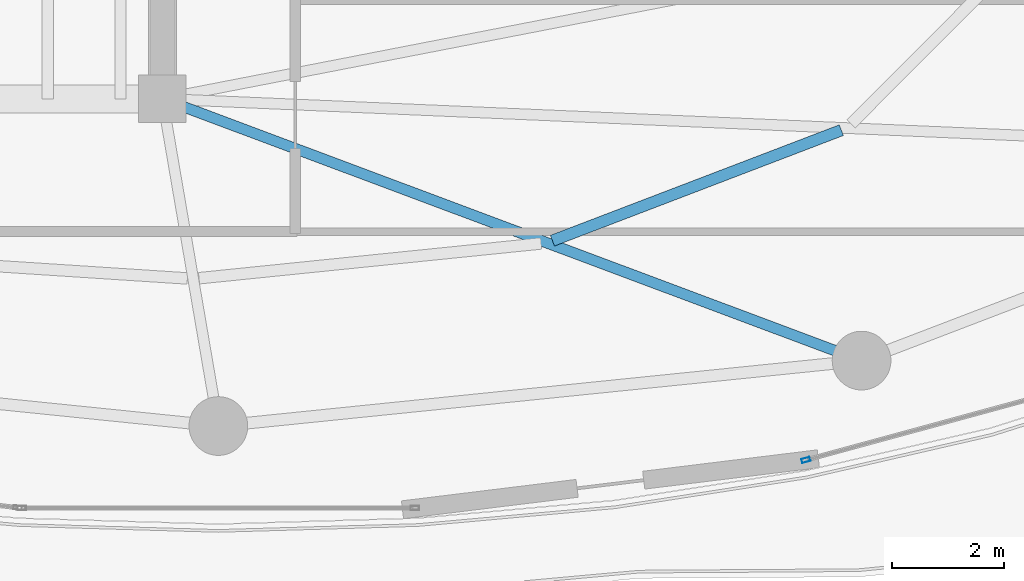
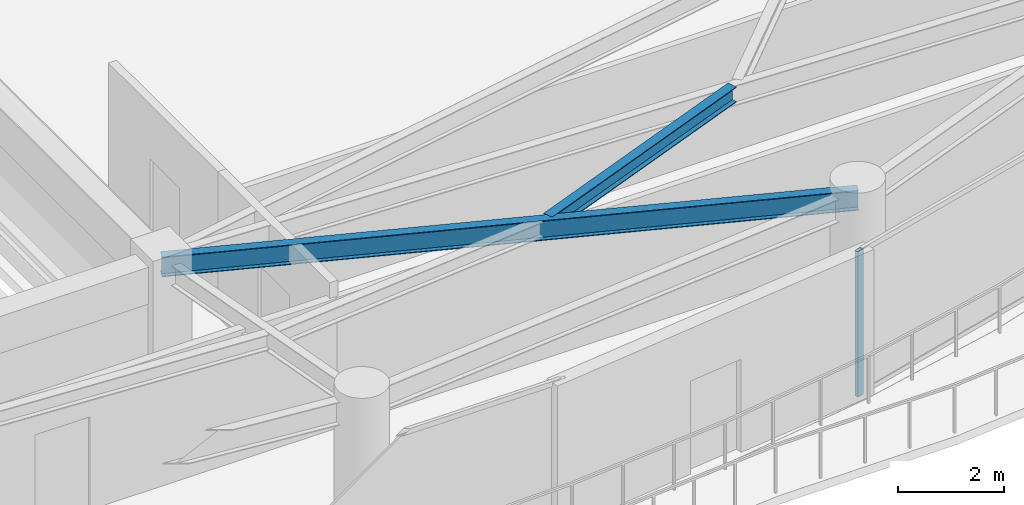
# One storey, part 10 of 28: 2 beams, 1 member, 1 element without a shape of its own.
"""IFC4 building model written with IfcOpenShell, lengths in metres."""

import ifcopenshell
import ifcopenshell.guid

model = None  # the IFC model being written
_history = None  # IfcOwnerHistory: only IFC2X3 demands one
_inside = {}  # id of a spatial element -> (the spatial element, [elements in it])
_under = {}  # id of a project, library or spatial element -> (it, [spatial elements below it])
_declared = {}  # id of a project -> (the project, [libraries it declares])
_typed = {}  # id of a type object -> (the type object, [elements of that type])
_made_of = {}  # id of a material, layer set ... -> (it, [elements and type objects made of it])


def new_model(schema):
    """Start an empty IFC model of exactly this schema.

    Asked for "IFC4X3", IfcOpenShell would pick the latest addendum, in which some entities
    have other attributes; the version numbers below select the first issue.
    IFC2X3 requires an IfcOwnerHistory on every rooted entity: one is made here for all.
    """
    global model, _history
    if schema == "IFC4X3":
        model = ifcopenshell.file(schema_version=(4, 3, 0, 0))
    else:
        model = ifcopenshell.file(schema=schema)
    _inside.clear()
    _under.clear()
    _declared.clear()
    _typed.clear()
    _made_of.clear()
    _history = None
    if model.schema == "IFC2X3":
        org = make("IfcOrganization", Name="unknown")
        user = make(
            "IfcPersonAndOrganization",
            ThePerson=make("IfcPerson", FamilyName="unknown"),
            TheOrganization=org,
        )
        app = make(
            "IfcApplication",
            ApplicationDeveloper=org,
            Version="unknown",
            ApplicationFullName="unknown",
            ApplicationIdentifier="unknown",
        )
        _history = make(
            "IfcOwnerHistory",
            OwningUser=user,
            OwningApplication=app,
            ChangeAction="ADDED",
            CreationDate=0,
        )
    return model


def make(cls, **values):
    """One entity of the class cls with the attributes given. An attribute that is None is left unset."""
    return model.create_entity(
        cls, **{name: value for name, value in values.items() if value is not None}
    )


def rooted(cls, **values):
    """An entity with a GlobalId (a new one), such as an element, a storey or a relation."""
    return make(cls, GlobalId=ifcopenshell.guid.new(), OwnerHistory=_history, **values)


def si_unit(unit_type, name, prefix=None):
    """IfcSIUnit, for example si_unit("LENGTHUNIT", "METRE", prefix="MILLI")."""
    return make("IfcSIUnit", UnitType=unit_type, Prefix=prefix, Name=name)


def assignment(units):
    """IfcUnitAssignment: the units of a project."""
    return None if units is None else make("IfcUnitAssignment", Units=units)


def point(xyz):
    """IfcCartesianPoint."""
    return None if xyz is None else make("IfcCartesianPoint", Coordinates=xyz)


def direction(xyz):
    """IfcDirection."""
    return None if xyz is None else make("IfcDirection", DirectionRatios=xyz)


def frame(location, z_axis=None, x_axis=None):
    """IfcAxis2Placement3D, a coordinate frame: its origin and axes. An axis left out is left unset."""
    return make(
        "IfcAxis2Placement3D",
        Location=point(location),
        Axis=direction(z_axis),
        RefDirection=direction(x_axis),
    )


def frame_2d(location, x_axis=None):
    """IfcAxis2Placement2D, a coordinate frame in the plane: its origin and x axis."""
    return make(
        "IfcAxis2Placement2D", Location=point(location), RefDirection=direction(x_axis)
    )


def origin():
    """The frame at (0, 0, 0) with its axes left unset."""
    return frame((0.0, 0.0, 0.0))


def origin_2d():
    """The frame at (0, 0) in the plane with its x axis left unset."""
    return frame_2d((0.0, 0.0))


def place(relative_to, where):
    """IfcLocalPlacement: puts the frame where relative to a parent placement (None: the world)."""
    return make(
        "IfcLocalPlacement", PlacementRelTo=relative_to, RelativePlacement=where
    )


def context(
    kind, dimensions, precision=None, world=None, true_north=None, identifier=None
):
    """IfcGeometricRepresentationContext, for example the 3D "Model" context."""
    return make(
        "IfcGeometricRepresentationContext",
        ContextIdentifier=identifier,
        ContextType=kind,
        CoordinateSpaceDimension=dimensions,
        Precision=precision,
        WorldCoordinateSystem=world,
        TrueNorth=true_north,
    )


def subcontext(parent, identifier, kind, view, scale=None):
    """IfcGeometricRepresentationSubContext, for example "Body" below "Model"."""
    return make(
        "IfcGeometricRepresentationSubContext",
        ContextIdentifier=identifier,
        ContextType=kind,
        ParentContext=parent,
        TargetScale=scale,
        TargetView=view,
    )


def project(units=None, contexts=None):
    """IfcProject with its units and contexts."""
    return rooted(
        "IfcProject",
        Name="project",
        RepresentationContexts=contexts,
        UnitsInContext=assignment(units),
    )


def spatial(cls, under=None, at=None, **own):
    """A site, building, storey or space (cls), placed at a placement, below another one or the project."""
    s = rooted(cls, ObjectPlacement=at, **own)
    if under is not None:
        _under.setdefault(under.id(), (under, []))[1].append(s)
    return s


def profile(cls, at=None, kind="AREA", **sizes):
    """A parametric profile (cls). Its sizes go by their IFC names, for example OverallWidth=200.0."""
    return make(cls, ProfileType=kind, Position=at, **sizes)


def hollow_rectangle(**sizes):
    """IfcRectangleHollowProfileDef."""
    return profile("IfcRectangleHollowProfileDef", **sizes)


def i_section(**sizes):
    """IfcIShapeProfileDef."""
    return profile("IfcIShapeProfileDef", **sizes)


def extrude(swept, where, along, depth):
    """IfcExtrudedAreaSolid: the profile swept, set in the frame where, extruded along a direction by depth."""
    return make(
        "IfcExtrudedAreaSolid",
        SweptArea=swept,
        Position=where,
        ExtrudedDirection=direction(along),
        Depth=depth,
    )


def shape(context_of_items, identifier, shape_type, items):
    """IfcShapeRepresentation: the items that make up one representation, for example the "Body"."""
    return make(
        "IfcShapeRepresentation",
        ContextOfItems=context_of_items,
        RepresentationIdentifier=identifier,
        RepresentationType=shape_type,
        Items=items,
    )


def material(Name=None, Category=None):
    """IfcMaterial."""
    return make("IfcMaterial", Name=Name, Category=Category)


def layer(
    of_material, thickness, ventilated=None, Name=None, Category=None, Priority=None
):
    """IfcMaterialLayer: one layer of a wall or slab, of a material (None: an air gap)."""
    return make(
        "IfcMaterialLayer",
        Material=of_material,
        LayerThickness=thickness,
        IsVentilated=ventilated,
        Name=Name,
        Category=Category,
        Priority=Priority,
    )


def layer_set(layers, Name=None):
    """IfcMaterialLayerSet."""
    return make("IfcMaterialLayerSet", MaterialLayers=layers, LayerSetName=Name)


def material_profile(
    of_material, cross_section, Name=None, Category=None, Priority=None
):
    """IfcMaterialProfile: a cross section and its material."""
    return make(
        "IfcMaterialProfile",
        Name=Name,
        Material=of_material,
        Profile=cross_section,
        Priority=Priority,
        Category=Category,
    )


def profile_set(profiles, Name=None, composite=None):
    """IfcMaterialProfileSet."""
    return make(
        "IfcMaterialProfileSet",
        Name=Name,
        MaterialProfiles=profiles,
        CompositeProfile=composite,
    )


def made_of(thing, what):
    """Note that an element or type object is made of a material, layer set ...; save() writes the relation."""
    if what is not None:
        _made_of.setdefault(what.id(), (what, []))[1].append(thing)
    return thing


def type_object(cls, material=None, **own):
    """A type object (cls), such as IfcWallType, which elements share."""
    return made_of(rooted(cls, **own), material)


def element(
    cls,
    number,
    at=None,
    inside=None,
    cuts=None,
    type_object=None,
    material=None,
    context=None,
    identifier="Body",
    shape_type=None,
    held_by="IfcProductDefinitionShape",
    body=None,
    shapes=None,
    **own,
):
    """One element of the class cls, such as IfcWall. Its Tag is "e" and its number.

    at: its placement. inside: the storey or other place that contains it. cuts: it is an
    opening in that element (IfcRelVoidsElement). A single representation is given by context,
    identifier, shape_type and body (its items); several are given by shapes. held_by: the class
    of the entity that holds the representations. save() writes the other relations.
    """
    e = rooted(cls, Tag="e%d" % number, ObjectPlacement=at, **own)
    if body is not None:
        shapes = [shape(context, identifier, shape_type, body)]
    if shapes is not None:
        e.Representation = make(held_by, Representations=shapes)
    if inside is not None:
        _inside.setdefault(inside.id(), (inside, []))[1].append(e)
    if cuts is not None:
        rooted(
            "IfcRelVoidsElement", RelatingBuildingElement=cuts, RelatedOpeningElement=e
        )
    if type_object is not None:
        _typed.setdefault(type_object.id(), (type_object, []))[1].append(e)
    return made_of(e, material)


def aggregate(whole, parts):
    """IfcRelAggregates: a whole, such as a stair, and the parts it consists of."""
    return rooted("IfcRelAggregates", RelatingObject=whole, RelatedObjects=parts)


def save(model, path):
    """Write the relations noted so far, then the file.

    IfcRelAggregates (storeys below a building ...), IfcRelContainedInSpatialStructure (elements
    in a storey), IfcRelDefinesByType, IfcRelAssociatesMaterial and IfcRelDeclares: one each for
    every whole, place, type object, material and project.
    """
    for whole, parts in _under.values():
        aggregate(whole, parts)
    for where, things in _inside.values():
        rooted(
            "IfcRelContainedInSpatialStructure",
            RelatedElements=things,
            RelatingStructure=where,
        )
    for kind, things in _typed.values():
        rooted("IfcRelDefinesByType", RelatedObjects=things, RelatingType=kind)
    for what, things in _made_of.values():
        rooted("IfcRelAssociatesMaterial", RelatedObjects=things, RelatingMaterial=what)
    for by, libraries in _declared.values():
        rooted("IfcRelDeclares", RelatingContext=by, RelatedDefinitions=libraries)
    model.write(path)


model = new_model("IFC4")

# Units and contexts
model_context = context("Model", 3, precision=1e-05, world=origin(), true_north=direction((0.0, 1.0)))
body_context = subcontext(model_context, "Body", "Model", "MODEL_VIEW")
ifc_project = project(units=[si_unit("LENGTHUNIT", "METRE"), si_unit("AREAUNIT", "SQUARE_METRE"), si_unit("VOLUMEUNIT", "CUBIC_METRE"), si_unit("PLANEANGLEUNIT", "RADIAN"), si_unit("MASSUNIT", "GRAM", prefix="KILO")], contexts=[model_context])

# Site, building, storey
site_placement = place(None, origin())
site = spatial("IfcSite", under=ifc_project, at=site_placement, CompositionType="ELEMENT")
building_placement = place(site_placement, origin())
building = spatial("IfcBuilding", under=site, at=building_placement, Name="Kazevale Care Tower and Concert Hall", CompositionType="ELEMENT")
storey_placement = place(building_placement, frame((0.0, 0.0, 246.0)))
storey = spatial("IfcBuildingStorey", under=building, at=storey_placement, Name="L65", CompositionType="ELEMENT", Elevation=246.0)

# Curtain wall, member
ifc_material_1 = material(Name="Aluminium 6063-T6 and Low-E Glass", Category="aluminium")
ifc_layer = layer(ifc_material_1, 0.179931640625)
ifc_layer_set = layer_set([ifc_layer], Name="Aluminium 6063-T6 and Low-E Glass")
curtain_wall_type = type_object("IfcCurtainWallType", Name="Sheltered Concave Balcony Curtain Wall CW-5", PredefinedType="NOTDEFINED", material=ifc_layer_set)
curtain_wall_placement = place(storey_placement, origin())
curtain_wall = element("IfcCurtainWall", 1, at=curtain_wall_placement, inside=storey, type_object=curtain_wall_type, Name="cw:L65:f04", PredefinedType="NOTDEFINED")
ifc_material_2 = material(Name="Aluminium 6063-T6", Category="aluminium")
ifc_material_profile_1 = material_profile(ifc_material_2, hollow_rectangle(XDim=0.074951171875, YDim=0.14990234375, WallThickness=0.00390625, at=origin_2d()), Name="ALU75x150x4")
ifc_profile_set_1 = profile_set([ifc_material_profile_1], Name="Aluminium 6063-T6")
member_type = type_object("IfcMemberType", Name="CW-5 Mullion ALU75x150x4", PredefinedType="MULLION", material=ifc_profile_set_1)
member_placement = place(storey_placement, frame((55.505126953125, 17.142822265625, 0.0), z_axis=(0.0, 0.0, 1.0), x_axis=(0.262848968947, -0.964836991167, 0.0)))
member = element("IfcMember", 2, at=member_placement, type_object=member_type, Name="CW-5 mullion 2", PredefinedType="MULLION", context=body_context, shape_type="SweptSolid", body=[
    extrude(hollow_rectangle(XDim=0.074951171875, YDim=0.14990234375, WallThickness=0.00390625, at=origin_2d()), origin(), (0.0, 0.0, 1.0), 3.360107421875),
])
aggregate(curtain_wall, [member])

# Beams
ifc_material_3 = material(Name="Steel ASTM A572 Gr 50", Category="steel")
ifc_material_profile_2 = material_profile(ifc_material_3, i_section(OverallWidth=0.19091796875, OverallDepth=0.4599609375, WebThickness=0.010009765625, FlangeThickness=0.01611328125, at=origin_2d()), Name="W460x82")
ifc_profile_set_2 = profile_set([ifc_material_profile_2], Name="Steel ASTM A572 Gr 50")
beam_type_1 = type_object("IfcBeamType", Name="Radial Floor Beam W460x82", PredefinedType="BEAM", material=ifc_profile_set_2)
beam_1_placement = place(storey_placement, frame((44.0, 23.60009765625, 3.1298828125), z_axis=(0.936509460339, -0.350642311615, 0.0), x_axis=(0.350642311615, 0.936509460339, 0.0)))
element("IfcBeam", 3, at=beam_1_placement, inside=storey, type_object=beam_type_1, Name="beam:L65:rad:14", PredefinedType="BEAM", context=body_context, shape_type="SweptSolid", body=[
    extrude(i_section(OverallWidth=0.19091796875, OverallDepth=0.4599609375, WebThickness=0.010009765625, FlangeThickness=0.01611328125, at=origin_2d()), origin(), (0.0, 0.0, 1.0), 13.347412109375),
])
ifc_material_profile_3 = material_profile(ifc_material_3, i_section(OverallWidth=0.205078125, OverallDepth=0.35400390625, WebThickness=0.009521484375, FlangeThickness=0.016845703125, at=origin_2d()), Name="W360x79")
ifc_profile_set_3 = profile_set([ifc_material_profile_3], Name="Steel ASTM A572 Gr 50")
beam_type_2 = type_object("IfcBeamType", Name="Secondary Floor Joist W360x79", PredefinedType="JOIST", material=ifc_profile_set_3)
beam_2_placement = place(storey_placement, frame((50.972900390625, 21.06396484375, 3.18310546875), z_axis=(0.934001589337, 0.35726884991, 0.0), x_axis=(-0.35726884991, 0.934001589337, 0.0)))
element("IfcBeam", 4, at=beam_2_placement, inside=storey, type_object=beam_type_2, Name="beam:L65:joist:14", PredefinedType="JOIST", context=body_context, shape_type="SweptSolid", body=[
    extrude(i_section(OverallWidth=0.205078125, OverallDepth=0.35400390625, WebThickness=0.009521484375, FlangeThickness=0.016845703125, at=origin_2d()), origin(), (0.0, 0.0, 1.0), 5.531005859375),
])

save(model, "model.ifc")
